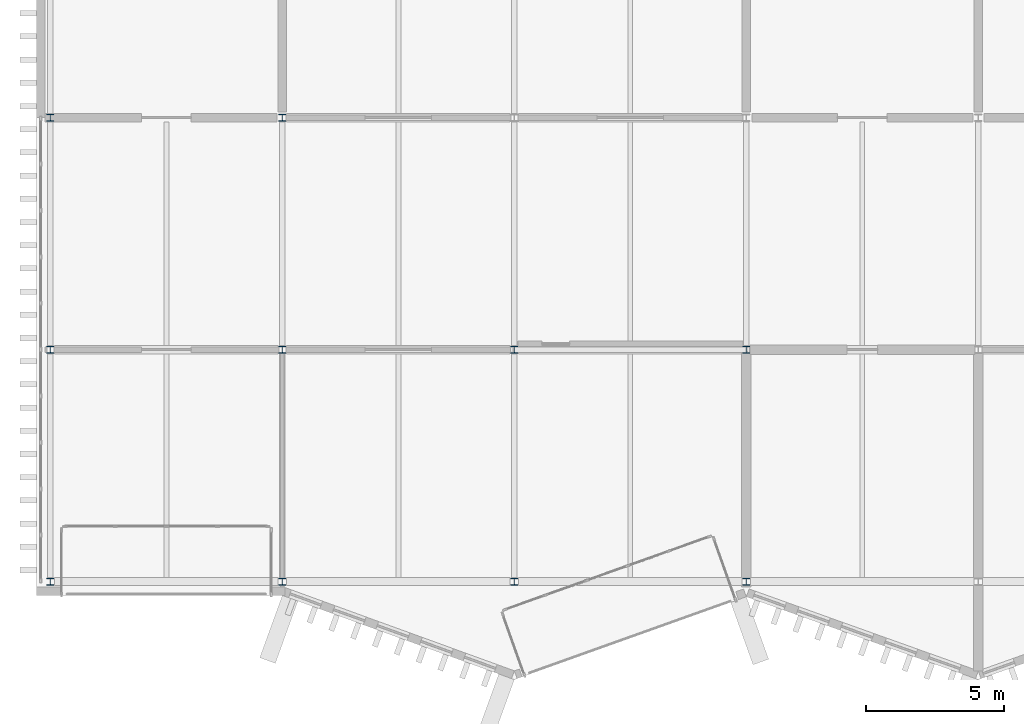
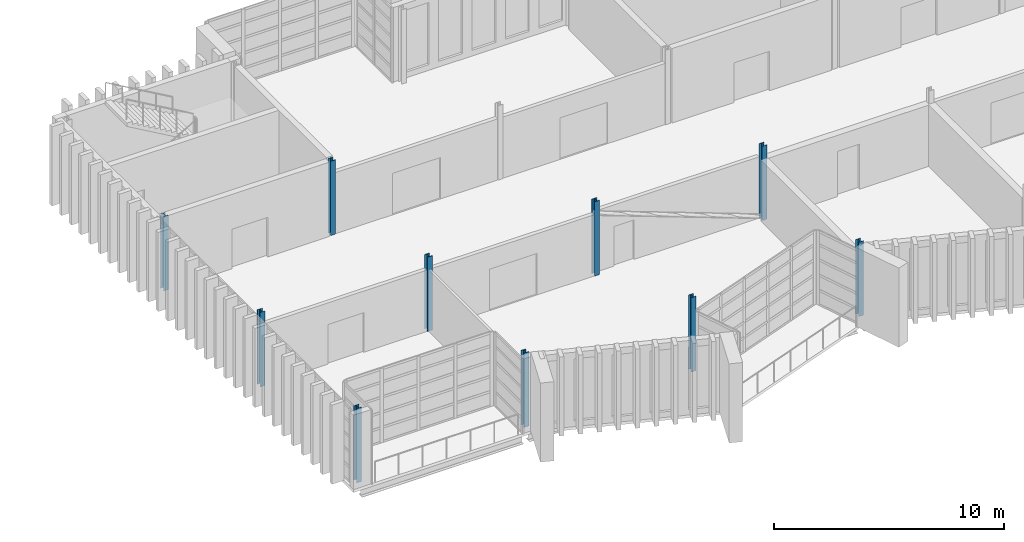
# One storey, part 1 of 88: 10 columns.
"""IFC4 building model written with IfcOpenShell, lengths in metres."""

from ifc_helpers import new_model, si_unit, direction, frame, origin, origin_2d, place, context, subcontext, project, spatial, i_section, extrude, material, material_profile, profile_set, type_object, element, save


model = new_model("IFC4")

# Units and contexts
model_context = context("Model", 3, precision=1e-05, world=origin(), true_north=direction((0.0, 1.0)))
body_context = subcontext(model_context, "Body", "Model", "MODEL_VIEW")
ifc_project = project(units=[si_unit("LENGTHUNIT", "METRE"), si_unit("AREAUNIT", "SQUARE_METRE"), si_unit("VOLUMEUNIT", "CUBIC_METRE"), si_unit("PLANEANGLEUNIT", "RADIAN"), si_unit("MASSUNIT", "GRAM", prefix="KILO")], contexts=[model_context])

# Site, building, storey
site_placement = place(None, origin())
site = spatial("IfcSite", under=ifc_project, at=site_placement, CompositionType="ELEMENT")
building_placement = place(site_placement, origin())
building = spatial("IfcBuilding", under=site, at=building_placement, Name="Cresset Court Congress Hotel", CompositionType="ELEMENT")
storey_placement = place(building_placement, frame((0.0, 0.0, 14.39990234375)))
storey = spatial("IfcBuildingStorey", under=building, at=storey_placement, Name="L03", CompositionType="ELEMENT", Elevation=14.39990234375)

# Columns
ifc_material = material(Name="Structural steel Q355B", Category="steel")
ifc_material_profile = material_profile(ifc_material, i_section(OverallWidth=0.25, OverallDepth=0.25, WebThickness=0.009033203125, FlangeThickness=0.013916015625, FilletRadius=0.012939453125, at=origin_2d()), Name="HW250x250x9x14")
ifc_profile_set = profile_set([ifc_material_profile], Name="Structural steel Q355B")
column_type = type_object("IfcColumnType", Name="Steel column HW250x250x9x14", PredefinedType="COLUMN", material=ifc_profile_set)
for number, where, z_axis, x_axis, name in (
    (1, (8.39990234375, 0.0, 0.0), (0.0, 0.0, 1.0), (1.0, 0.0, 0.0), "B.col.L03.02A"),
    (2, (8.39990234375, 8.39990234375, 0.0), (0.0, 0.0, 1.0), (1.0, 0.0, 0.0), "B.col.L03.02B"),
    (3, (8.39990234375, 16.800048828125, 0.0), (0.0, 0.0, 1.0), (1.0, 0.0, 0.0), "B.col.L03.02C"),
    (4, (16.800048828125, 0.0, 0.0), (0.0, 0.0, 1.0), (1.0, 0.0, 0.0), "B.col.L03.03A"),
    (5, (16.800048828125, 8.39990234375, 0.0), (0.0, 0.0, 1.0), (1.0, 0.0, 0.0), "B.col.L03.03B"),
    (6, (16.800048828125, 16.800048828125, 0.0), (0.0, 0.0, 1.0), (1.0, 0.0, 0.0), "B.col.L03.03C"),
    (7, (25.199951171875, 0.0, 0.0), (0.0, 0.0, 1.0), (1.0, 0.0, 0.0), "B.col.L03.04A"),
    (8, (25.199951171875, 8.39990234375, 0.0), (0.0, 0.0, 1.0), (1.0, 0.0, 0.0), "B.col.L03.04B"),
    (9, (33.60009765625, 0.0, 0.0), (0.0, 0.0, 1.0), (1.0, 0.0, 0.0), "B.col.L03.05A"),
    (10, (33.60009765625, 8.39990234375, 0.0), (0.0, 0.0, 1.0), (1.0, 0.0, 0.0), "B.col.L03.05B"),
):
    element("IfcColumn", number, at=place(storey_placement, frame(where, z_axis=z_axis, x_axis=x_axis)), inside=storey, type_object=column_type, Name=name, PredefinedType="COLUMN", context=body_context, shape_type="SweptSolid", body=[
        extrude(i_section(OverallWidth=0.25, OverallDepth=0.25, WebThickness=0.009033203125, FlangeThickness=0.013916015625, FilletRadius=0.012939453125, at=origin_2d()), origin(), (0.0, 0.0, 1.0), 3.9501953125),
    ])

save(model, "model.ifc")
